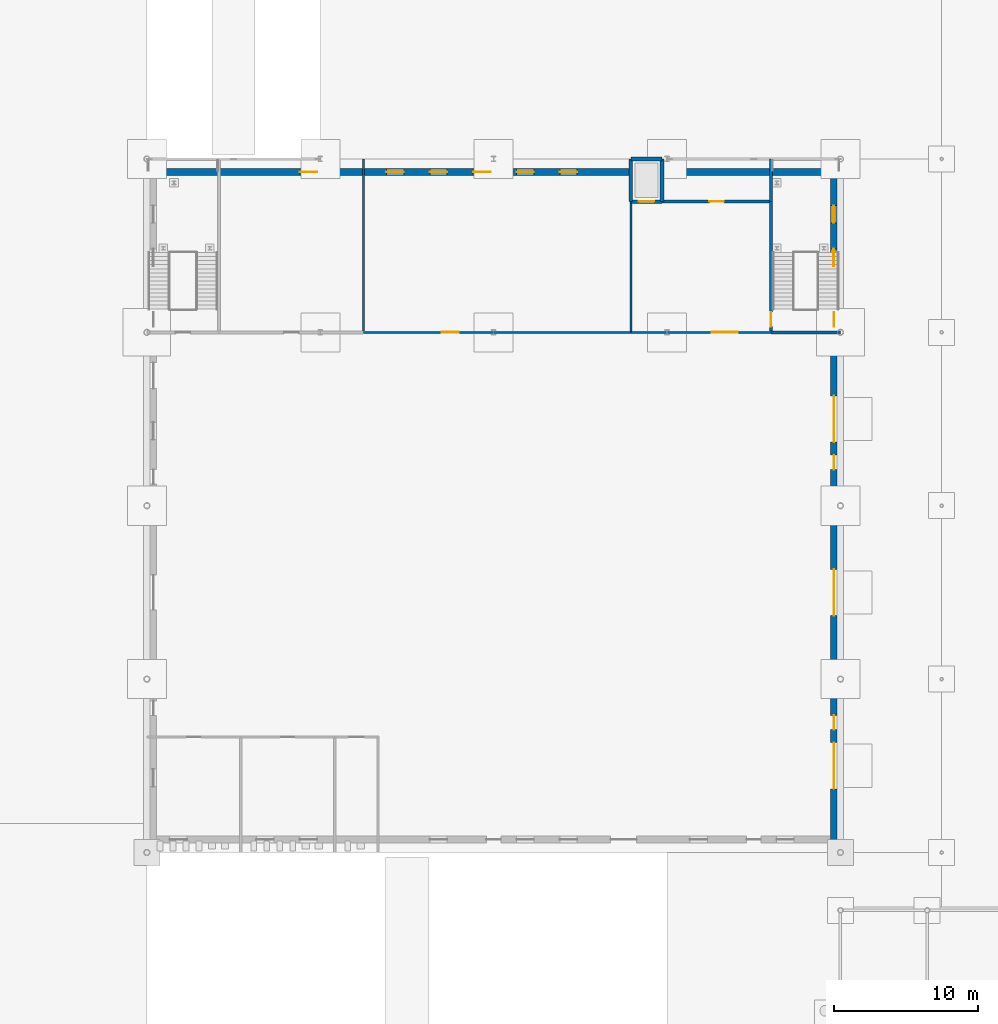
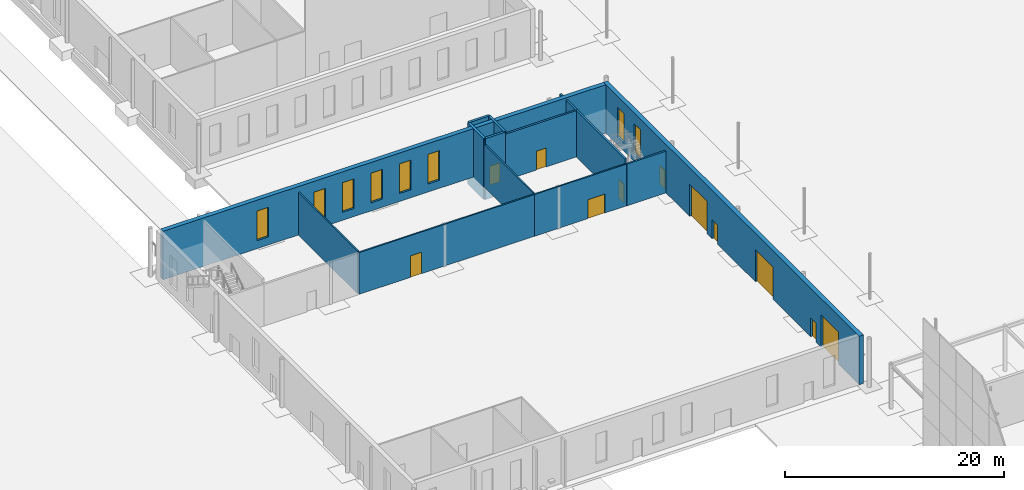
# One storey, part 69 of 132: 14 walls, 11 doors, 8 windows, 19 openings.
"""IFC4 building model written with IfcOpenShell, lengths in metres."""

from ifc_helpers import new_model, si_unit, direction, frame, frame_2d, origin, place, context, subcontext, project, spatial, rectangle, extrude, material, layer, layer_set, type_object, element, fill, save


model = new_model("IFC4")

# Units and contexts
model_context = context("Model", 3, precision=1e-05, world=origin(), true_north=direction((0.0, 1.0)))
body_context = subcontext(model_context, "Body", "Model", "MODEL_VIEW")
ifc_project = project(units=[si_unit("LENGTHUNIT", "METRE"), si_unit("AREAUNIT", "SQUARE_METRE"), si_unit("VOLUMEUNIT", "CUBIC_METRE"), si_unit("PLANEANGLEUNIT", "RADIAN"), si_unit("MASSUNIT", "GRAM", prefix="KILO")], contexts=[model_context])

# Site, building, storey
site_placement = place(None, origin())
site = spatial("IfcSite", under=ifc_project, at=site_placement, CompositionType="ELEMENT")
building_placement = place(site_placement, origin())
building = spatial("IfcBuilding", under=site, at=building_placement, Name="Ravi Spectrum Wholesale Market", CompositionType="ELEMENT")
storey_placement = place(building_placement, origin())
storey = spatial("IfcBuildingStorey", under=building, at=storey_placement, Name="L00", CompositionType="ELEMENT", Elevation=0.0)

# Wall, opening, door
ifc_material_1 = material(Name="Concrete blockwork", Category="masonry")
ifc_layer_1 = layer(ifc_material_1, 0.14990234375)
ifc_layer_set_1 = layer_set([ifc_layer_1], Name="Concrete blockwork")
wall_type_1 = type_object("IfcWallType", Name="Blockwork partition 150", PredefinedType="PARTITIONING", material=ifc_layer_set_1)
wall_1_placement = place(storey_placement, frame((183.5, 114.0, 0.0), z_axis=(0.0, 0.0, 1.0), x_axis=(1.0, 0.0, 0.0)))
wall_1 = element("IfcWall", 1, at=wall_1_placement, inside=storey, type_object=wall_type_1, Name="H2-WL-L00-011", PredefinedType="PARTITIONING", context=body_context, shape_type="SweptSolid", body=[
    extrude(rectangle(XDim=9.699951171875, YDim=0.14990234375, at=frame_2d((4.85009765625, 0.0))), origin(), (0.0, 0.0, 1.0), 4.64990234375),
])
opening_1_placement = place(wall_1_placement, frame((5.60009765625, 0.0, 0.0)))
opening_1 = element("IfcOpeningElement", 2, at=opening_1_placement, cuts=wall_1, Name="Opening D307", PredefinedType="OPENING", context=body_context, shape_type="SweptSolid", body=[
    extrude(rectangle(XDim=1.800048828125, YDim=2.10009765625, at=frame_2d((0.89990234375, 1.050048828125))), frame((0.0, 0.0849609375, 0.0), z_axis=(0.0, -1.0, 0.0), x_axis=(1.0, 0.0, 0.0)), (0.0, 0.0, 1.0), 0.169921875),
])
ifc_material_2 = material(Name="Steel door", Category="steel")
door_type_1 = type_object("IfcDoorType", Name="Double leaf door 1800 x 2100", OperationType="DOUBLE_DOOR_SINGLE_SWING", PredefinedType="DOOR", material=ifc_material_2)
door_1_placement = place(opening_1_placement, origin())
door_1 = element("IfcDoor", 3, at=door_1_placement, inside=storey, type_object=door_type_1, Name="Door D307", OperationType="DOUBLE_DOOR_SINGLE_SWING", OverallHeight=2.10009765625, OverallWidth=1.800048828125, PredefinedType="DOOR", context=body_context, shape_type="SweptSolid", body=[
    extrude(rectangle(XDim=1.800048828125, YDim=2.10009765625, at=frame_2d((0.89990234375, 1.050048828125))), frame((0.0, 0.02490234375, 0.0), z_axis=(0.0, -1.0, 0.0), x_axis=(1.0, 0.0, 0.0)), (0.0, 0.0, 1.0), 0.050048828125),
])
fill(opening_1, door_1)

# Wall
ifc_material_3 = material(Name="Concrete blockwork", Category="masonry")
ifc_layer_2 = layer(ifc_material_3, 0.199951171875)
ifc_layer_set_2 = layer_set([ifc_layer_2], Name="Concrete blockwork")
wall_type_2 = type_object("IfcWallType", Name="Blockwork partition 200 fire", PredefinedType="PARTITIONING", material=ifc_layer_set_2)
wall_2_placement = place(storey_placement, frame((193.199951171875, 114.0, 0.0), z_axis=(0.0, 0.0, 1.0), x_axis=(1.0, 0.0, 0.0)))
element("IfcWall", 4, at=wall_2_placement, inside=storey, type_object=wall_type_2, Name="H2-WL-L00-012", PredefinedType="PARTITIONING", context=body_context, shape_type="SweptSolid", body=[
    extrude(rectangle(XDim=4.800048828125, YDim=0.199951171875, at=frame_2d((2.39990234375, 0.0))), origin(), (0.0, 0.0, 1.0), 4.64990234375),
])

# Wall, opening, door
wall_3_placement = place(storey_placement, frame((185.64990234375, 123.050048828125, 0.0), z_axis=(0.0, 0.0, 1.0), x_axis=(1.0, 0.0, 0.0)))
wall_3 = element("IfcWall", 5, at=wall_3_placement, inside=storey, type_object=wall_type_2, Name="H2-WL-L00-013", PredefinedType="PARTITIONING", context=body_context, shape_type="SweptSolid", body=[
    extrude(rectangle(XDim=7.4501953125, YDim=0.199951171875, at=frame_2d((3.72509765625, 0.0))), origin(), (0.0, 0.0, 1.0), 5.14990234375),
])
opening_2_placement = place(wall_3_placement, frame((3.27490234375, 0.0, 0.0)))
opening_2 = element("IfcOpeningElement", 6, at=opening_2_placement, cuts=wall_3, Name="Opening D323", PredefinedType="OPENING", context=body_context, shape_type="SweptSolid", body=[
    extrude(rectangle(XDim=1.0, YDim=2.10009765625, at=frame_2d((0.5, 1.050048828125))), frame((0.0, 0.10986328125, 0.0), z_axis=(0.0, -1.0, 0.0), x_axis=(1.0, 0.0, 0.0)), (0.0, 0.0, 1.0), 0.219970703125),
])
ifc_material_4 = material(Name="Steel door", Category="steel")
door_type_2 = type_object("IfcDoorType", Name="Plant room door 1000 x 2100", OperationType="SINGLE_SWING_LEFT", PredefinedType="DOOR", material=ifc_material_4)
door_2_placement = place(opening_2_placement, origin())
door_2 = element("IfcDoor", 7, at=door_2_placement, inside=storey, type_object=door_type_2, Name="Riser access door D323", OperationType="SINGLE_SWING_LEFT", OverallHeight=2.10009765625, OverallWidth=1.0, PredefinedType="DOOR", context=body_context, shape_type="SweptSolid", body=[
    extrude(rectangle(XDim=1.0, YDim=2.10009765625, at=frame_2d((0.5, 1.050048828125))), frame((0.0, 0.02490234375, 0.0), z_axis=(0.0, -1.0, 0.0), x_axis=(1.0, 0.0, 0.0)), (0.0, 0.0, 1.0), 0.050048828125),
])
fill(opening_2, door_2)

wall_4_placement = place(storey_placement, frame((193.199951171875, 114.10009765625, 0.0), z_axis=(0.0, 0.0, 1.0), x_axis=(0.0, 1.0, 0.0)))
wall_4 = element("IfcWall", 8, at=wall_4_placement, inside=storey, type_object=wall_type_2, Name="H2-WL-L00-020", PredefinedType="PARTITIONING", context=body_context, shape_type="SweptSolid", body=[
    extrude(rectangle(XDim=8.949951171875, YDim=0.199951171875, at=frame_2d((4.47509765625, 0.0))), origin(), (0.0, 0.0, 1.0), 5.14990234375),
])
opening_3_placement = place(wall_4_placement, frame((0.300048828125, 0.0, 0.0)))
opening_3 = element("IfcOpeningElement", 9, at=opening_3_placement, cuts=wall_4, Name="Opening D309", PredefinedType="OPENING", context=body_context, shape_type="SweptSolid", body=[
    extrude(rectangle(XDim=1.0, YDim=2.10009765625, at=frame_2d((0.5, 1.050048828125))), frame((0.0, 0.10986328125, 0.0), z_axis=(0.0, -1.0, 0.0), x_axis=(1.0, 0.0, 0.0)), (0.0, 0.0, 1.0), 0.219970703125),
])
ifc_material_5 = material(Name="Steel door", Category="steel")
door_type_3 = type_object("IfcDoorType", Name="Stair door 1000 x 2100", OperationType="SINGLE_SWING_LEFT", PredefinedType="DOOR", material=ifc_material_5)
door_3_placement = place(opening_3_placement, origin())
door_3 = element("IfcDoor", 10, at=door_3_placement, inside=storey, type_object=door_type_3, Name="Door D309", OperationType="SINGLE_SWING_RIGHT", OverallHeight=2.10009765625, OverallWidth=1.0, PredefinedType="DOOR", context=body_context, shape_type="SweptSolid", body=[
    extrude(rectangle(XDim=1.0, YDim=2.10009765625, at=frame_2d((0.5, 1.050048828125))), frame((0.0, 0.02490234375, 0.0), z_axis=(0.0, -1.0, 0.0), x_axis=(1.0, 0.0, 0.0)), (0.0, 0.0, 1.0), 0.050048828125),
])
fill(opening_3, door_3)

# Wall
wall_5_placement = place(storey_placement, frame((193.199951171875, 123.050048828125, 0.0), z_axis=(0.0, 0.0, 1.0), x_axis=(0.0, 1.0, 0.0)))
element("IfcWall", 11, at=wall_5_placement, inside=storey, type_object=wall_type_2, Name="H2-WL-L00-021", PredefinedType="PARTITIONING", context=body_context, shape_type="SweptSolid", body=[
    extrude(rectangle(XDim=2.949951171875, YDim=0.199951171875, at=frame_2d((1.47509765625, 0.0))), origin(), (0.0, 0.0, 1.0), 5.14990234375),
])

# Wall, openings, windows
ifc_material_6 = material(Name="Clinker brickwork", Category="masonry")
ifc_layer_3 = layer(ifc_material_6, 0.4599609375)
ifc_layer_set_3 = layer_set([ifc_layer_3], Name="Clinker brickwork")
wall_type_3 = type_object("IfcWallType", Name="Brick 460 pier wall", PredefinedType="SOLIDWALL", material=ifc_layer_set_3)
wall_6_placement = place(storey_placement, frame((150.68310546875, 125.10009765625, 0.0), z_axis=(0.0, 0.0, 1.0), x_axis=(1.0, 0.0, 0.0)))
wall_6 = element("IfcWall", 12, at=wall_6_placement, inside=storey, type_object=wall_type_3, Name="Fish Hall north wall", PredefinedType="SOLIDWALL", context=body_context, shape_type="SweptSolid", body=[
    extrude(rectangle(XDim=46.6337890625, YDim=0.4599609375, at=frame_2d((23.31689453125, 0.0))), origin(), (0.0, 0.0, 1.0), 5.39990234375),
])
opening_4_placement = place(wall_6_placement, frame((9.89990234375, 0.0, 0.89990234375)))
opening_4 = element("IfcOpeningElement", 13, at=opening_4_placement, cuts=wall_6, Name="Opening W2023", PredefinedType="OPENING", context=body_context, shape_type="SweptSolid", body=[
    extrude(rectangle(XDim=1.199951171875, YDim=3.300048828125, at=frame_2d((0.60009765625, 1.64990234375))), frame((0.0, 0.239990234375, 0.0), z_axis=(0.0, -1.0, 0.0), x_axis=(1.0, 0.0, 0.0)), (0.0, 0.0, 1.0), 0.47998046875),
])
opening_5_placement = place(wall_6_placement, frame((15.89990234375, 0.0, 0.89990234375)))
opening_5 = element("IfcOpeningElement", 14, at=opening_5_placement, cuts=wall_6, Name="Opening W2024", PredefinedType="OPENING", context=body_context, shape_type="SweptSolid", body=[
    extrude(rectangle(XDim=1.199951171875, YDim=3.300048828125, at=frame_2d((0.60009765625, 1.64990234375))), frame((0.0, 0.239990234375, 0.0), z_axis=(0.0, -1.0, 0.0), x_axis=(1.0, 0.0, 0.0)), (0.0, 0.0, 1.0), 0.47998046875),
])
opening_6_placement = place(wall_6_placement, frame((18.89990234375, 0.0, 0.89990234375)))
opening_6 = element("IfcOpeningElement", 15, at=opening_6_placement, cuts=wall_6, Name="Opening W2025", PredefinedType="OPENING", context=body_context, shape_type="SweptSolid", body=[
    extrude(rectangle(XDim=1.199951171875, YDim=3.300048828125, at=frame_2d((0.60009765625, 1.64990234375))), frame((0.0, 0.239990234375, 0.0), z_axis=(0.0, -1.0, 0.0), x_axis=(1.0, 0.0, 0.0)), (0.0, 0.0, 1.0), 0.47998046875),
])
opening_7_placement = place(wall_6_placement, frame((21.89990234375, 0.0, 0.89990234375)))
opening_7 = element("IfcOpeningElement", 16, at=opening_7_placement, cuts=wall_6, Name="Opening W2026", PredefinedType="OPENING", context=body_context, shape_type="SweptSolid", body=[
    extrude(rectangle(XDim=1.199951171875, YDim=3.300048828125, at=frame_2d((0.60009765625, 1.64990234375))), frame((0.0, 0.239990234375, 0.0), z_axis=(0.0, -1.0, 0.0), x_axis=(1.0, 0.0, 0.0)), (0.0, 0.0, 1.0), 0.47998046875),
])
opening_8_placement = place(wall_6_placement, frame((24.89990234375, 0.0, 0.89990234375)))
opening_8 = element("IfcOpeningElement", 17, at=opening_8_placement, cuts=wall_6, Name="Opening W2027", PredefinedType="OPENING", context=body_context, shape_type="SweptSolid", body=[
    extrude(rectangle(XDim=1.199951171875, YDim=3.300048828125, at=frame_2d((0.60009765625, 1.64990234375))), frame((0.0, 0.239990234375, 0.0), z_axis=(0.0, -1.0, 0.0), x_axis=(1.0, 0.0, 0.0)), (0.0, 0.0, 1.0), 0.47998046875),
])
opening_9_placement = place(wall_6_placement, frame((27.89990234375, 0.0, 0.89990234375)))
opening_9 = element("IfcOpeningElement", 18, at=opening_9_placement, cuts=wall_6, Name="Opening W2028", PredefinedType="OPENING", context=body_context, shape_type="SweptSolid", body=[
    extrude(rectangle(XDim=1.199951171875, YDim=3.300048828125, at=frame_2d((0.60009765625, 1.64990234375))), frame((0.0, 0.239990234375, 0.0), z_axis=(0.0, -1.0, 0.0), x_axis=(1.0, 0.0, 0.0)), (0.0, 0.0, 1.0), 0.47998046875),
])
ifc_material_7 = material(Name="Steel window frame", Category="steel")
window_type = type_object("IfcWindowType", Name="Tall pier window 1200 x 3300", PartitioningType="SINGLE_PANEL", PredefinedType="WINDOW", material=ifc_material_7)
window_1_placement = place(opening_4_placement, origin())
window_1 = element("IfcWindow", 19, at=window_1_placement, inside=storey, type_object=window_type, Name="Window W2023", OverallHeight=3.300048828125, OverallWidth=1.199951171875, PartitioningType="SINGLE_PANEL", PredefinedType="WINDOW", context=body_context, shape_type="SweptSolid", body=[
    extrude(rectangle(XDim=1.199951171875, YDim=3.300048828125, at=frame_2d((0.60009765625, 1.64990234375))), frame((0.0, 0.030029296875, 0.0), z_axis=(0.0, -1.0, 0.0), x_axis=(1.0, 0.0, 0.0)), (0.0, 0.0, 1.0), 0.06005859375),
])
fill(opening_4, window_1)
window_2_placement = place(opening_5_placement, origin())
window_2 = element("IfcWindow", 20, at=window_2_placement, inside=storey, type_object=window_type, Name="Window W2024", OverallHeight=3.300048828125, OverallWidth=1.199951171875, PartitioningType="SINGLE_PANEL", PredefinedType="WINDOW", context=body_context, shape_type="SweptSolid", body=[
    extrude(rectangle(XDim=1.199951171875, YDim=3.300048828125, at=frame_2d((0.60009765625, 1.64990234375))), frame((0.0, 0.030029296875, 0.0), z_axis=(0.0, -1.0, 0.0), x_axis=(1.0, 0.0, 0.0)), (0.0, 0.0, 1.0), 0.06005859375),
])
fill(opening_5, window_2)
window_3_placement = place(opening_6_placement, origin())
window_3 = element("IfcWindow", 21, at=window_3_placement, inside=storey, type_object=window_type, Name="Window W2025", OverallHeight=3.300048828125, OverallWidth=1.199951171875, PartitioningType="SINGLE_PANEL", PredefinedType="WINDOW", context=body_context, shape_type="SweptSolid", body=[
    extrude(rectangle(XDim=1.199951171875, YDim=3.300048828125, at=frame_2d((0.60009765625, 1.64990234375))), frame((0.0, 0.030029296875, 0.0), z_axis=(0.0, -1.0, 0.0), x_axis=(1.0, 0.0, 0.0)), (0.0, 0.0, 1.0), 0.06005859375),
])
fill(opening_6, window_3)
window_4_placement = place(opening_7_placement, origin())
window_4 = element("IfcWindow", 22, at=window_4_placement, inside=storey, type_object=window_type, Name="Window W2026", OverallHeight=3.300048828125, OverallWidth=1.199951171875, PartitioningType="SINGLE_PANEL", PredefinedType="WINDOW", context=body_context, shape_type="SweptSolid", body=[
    extrude(rectangle(XDim=1.199951171875, YDim=3.300048828125, at=frame_2d((0.60009765625, 1.64990234375))), frame((0.0, 0.030029296875, 0.0), z_axis=(0.0, -1.0, 0.0), x_axis=(1.0, 0.0, 0.0)), (0.0, 0.0, 1.0), 0.06005859375),
])
fill(opening_7, window_4)
window_5_placement = place(opening_8_placement, origin())
window_5 = element("IfcWindow", 23, at=window_5_placement, inside=storey, type_object=window_type, Name="Window W2027", OverallHeight=3.300048828125, OverallWidth=1.199951171875, PartitioningType="SINGLE_PANEL", PredefinedType="WINDOW", context=body_context, shape_type="SweptSolid", body=[
    extrude(rectangle(XDim=1.199951171875, YDim=3.300048828125, at=frame_2d((0.60009765625, 1.64990234375))), frame((0.0, 0.030029296875, 0.0), z_axis=(0.0, -1.0, 0.0), x_axis=(1.0, 0.0, 0.0)), (0.0, 0.0, 1.0), 0.06005859375),
])
fill(opening_8, window_5)
window_6_placement = place(opening_9_placement, origin())
window_6 = element("IfcWindow", 24, at=window_6_placement, inside=storey, type_object=window_type, Name="Window W2028", OverallHeight=3.300048828125, OverallWidth=1.199951171875, PartitioningType="SINGLE_PANEL", PredefinedType="WINDOW", context=body_context, shape_type="SweptSolid", body=[
    extrude(rectangle(XDim=1.199951171875, YDim=3.300048828125, at=frame_2d((0.60009765625, 1.64990234375))), frame((0.0, 0.030029296875, 0.0), z_axis=(0.0, -1.0, 0.0), x_axis=(1.0, 0.0, 0.0)), (0.0, 0.0, 1.0), 0.06005859375),
])
fill(opening_9, window_6)

# Wall, openings, doors, windows
wall_7_placement = place(storey_placement, frame((197.546875, 78.669921875, 0.0), z_axis=(0.0, 0.0, 1.0), x_axis=(0.0, 1.0, 0.0)))
wall_7 = element("IfcWall", 25, at=wall_7_placement, inside=storey, type_object=wall_type_3, Name="Fish Hall east wall", PredefinedType="SOLIDWALL", context=body_context, shape_type="SweptSolid", body=[
    extrude(rectangle(XDim=46.66015625, YDim=0.4599609375, at=frame_2d((23.330078125, 0.0))), origin(), (0.0, 0.0, 1.0), 5.39990234375),
])
opening_10_placement = place(wall_7_placement, frame((36.72998046875, 0.0, 0.0), z_axis=(0.0, 0.0, 1.0), x_axis=(-1.0, 0.0, 0.0)))
opening_10 = element("IfcOpeningElement", 26, at=opening_10_placement, cuts=wall_7, Name="Opening D310", PredefinedType="OPENING", context=body_context, shape_type="SweptSolid", body=[
    extrude(rectangle(XDim=1.0, YDim=2.10009765625, at=frame_2d((0.5, 1.050048828125))), frame((0.0, 0.239990234375, 0.0), z_axis=(0.0, -1.0, 0.0), x_axis=(1.0, 0.0, 0.0)), (0.0, 0.0, 1.0), 0.47998046875),
])
opening_11_placement = place(wall_7_placement, frame((3.72998046875, 0.0, 0.0)))
opening_11 = element("IfcOpeningElement", 27, at=opening_11_placement, cuts=wall_7, Name="Opening D311", PredefinedType="OPENING", context=body_context, shape_type="SweptSolid", body=[
    extrude(rectangle(XDim=3.199951171875, YDim=3.60009765625, at=frame_2d((1.60009765625, 1.800048828125))), frame((0.0, 0.239990234375, 0.0), z_axis=(0.0, -1.0, 0.0), x_axis=(1.0, 0.0, 0.0)), (0.0, 0.0, 1.0), 0.47998046875),
])
opening_12_placement = place(wall_7_placement, frame((15.72998046875, 0.0, 0.0)))
opening_12 = element("IfcOpeningElement", 28, at=opening_12_placement, cuts=wall_7, Name="Opening D312", PredefinedType="OPENING", context=body_context, shape_type="SweptSolid", body=[
    extrude(rectangle(XDim=3.199951171875, YDim=3.60009765625, at=frame_2d((1.60009765625, 1.800048828125))), frame((0.0, 0.239990234375, 0.0), z_axis=(0.0, -1.0, 0.0), x_axis=(1.0, 0.0, 0.0)), (0.0, 0.0, 1.0), 0.47998046875),
])
opening_13_placement = place(wall_7_placement, frame((27.72998046875, 0.0, 0.0)))
opening_13 = element("IfcOpeningElement", 29, at=opening_13_placement, cuts=wall_7, Name="Opening D313", PredefinedType="OPENING", context=body_context, shape_type="SweptSolid", body=[
    extrude(rectangle(XDim=3.199951171875, YDim=3.60009765625, at=frame_2d((1.60009765625, 1.800048828125))), frame((0.0, 0.239990234375, 0.0), z_axis=(0.0, -1.0, 0.0), x_axis=(1.0, 0.0, 0.0)), (0.0, 0.0, 1.0), 0.47998046875),
])
opening_14_placement = place(wall_7_placement, frame((8.830078125, 0.0, 0.0), z_axis=(0.0, 0.0, 1.0), x_axis=(-1.0, 0.0, 0.0)))
opening_14 = element("IfcOpeningElement", 30, at=opening_14_placement, cuts=wall_7, Name="Opening D314", PredefinedType="OPENING", context=body_context, shape_type="SweptSolid", body=[
    extrude(rectangle(XDim=1.0, YDim=2.10009765625, at=frame_2d((0.5, 1.050048828125))), frame((0.0, 0.239990234375, 0.0), z_axis=(0.0, -1.0, 0.0), x_axis=(1.0, 0.0, 0.0)), (0.0, 0.0, 1.0), 0.47998046875),
])
opening_15_placement = place(wall_7_placement, frame((26.830078125, 0.0, 0.0), z_axis=(0.0, 0.0, 1.0), x_axis=(-1.0, 0.0, 0.0)))
opening_15 = element("IfcOpeningElement", 31, at=opening_15_placement, cuts=wall_7, Name="Opening D315", PredefinedType="OPENING", context=body_context, shape_type="SweptSolid", body=[
    extrude(rectangle(XDim=1.0, YDim=2.10009765625, at=frame_2d((0.5, 1.050048828125))), frame((0.0, 0.239990234375, 0.0), z_axis=(0.0, -1.0, 0.0), x_axis=(1.0, 0.0, 0.0)), (0.0, 0.0, 1.0), 0.47998046875),
])
opening_16_placement = place(wall_7_placement, frame((39.89990234375, 0.0, 0.89990234375)))
opening_16 = element("IfcOpeningElement", 32, at=opening_16_placement, cuts=wall_7, Name="Opening W2011", PredefinedType="OPENING", context=body_context, shape_type="SweptSolid", body=[
    extrude(rectangle(XDim=1.199951171875, YDim=3.300048828125, at=frame_2d((0.60009765625, 1.64990234375))), frame((0.0, 0.239990234375, 0.0), z_axis=(0.0, -1.0, 0.0), x_axis=(1.0, 0.0, 0.0)), (0.0, 0.0, 1.0), 0.47998046875),
])
opening_17_placement = place(wall_7_placement, frame((42.89990234375, 0.0, 0.89990234375)))
opening_17 = element("IfcOpeningElement", 33, at=opening_17_placement, cuts=wall_7, Name="Opening W2012", PredefinedType="OPENING", context=body_context, shape_type="SweptSolid", body=[
    extrude(rectangle(XDim=1.199951171875, YDim=3.300048828125, at=frame_2d((0.60009765625, 1.64990234375))), frame((0.0, 0.239990234375, 0.0), z_axis=(0.0, -1.0, 0.0), x_axis=(1.0, 0.0, 0.0)), (0.0, 0.0, 1.0), 0.47998046875),
])
ifc_material_8 = material(Name="Steel roller shutter", Category="steel")
door_type_4 = type_object("IfcDoorType", Name="Dock roller shutter 3200 x 3600", OperationType="ROLLINGUP", PredefinedType="DOOR", material=ifc_material_8)
door_4_placement = place(opening_11_placement, origin())
door_4 = element("IfcDoor", 34, at=door_4_placement, inside=storey, type_object=door_type_4, Name="Door D311", OperationType="ROLLINGUP", OverallHeight=3.60009765625, OverallWidth=3.199951171875, PredefinedType="DOOR", context=body_context, shape_type="SweptSolid", body=[
    extrude(rectangle(XDim=3.199951171875, YDim=3.60009765625, at=frame_2d((1.60009765625, 1.800048828125))), frame((0.0, 0.02490234375, 0.0), z_axis=(0.0, -1.0, 0.0), x_axis=(1.0, 0.0, 0.0)), (0.0, 0.0, 1.0), 0.050048828125),
])
fill(opening_11, door_4)
door_5_placement = place(opening_12_placement, origin())
door_5 = element("IfcDoor", 35, at=door_5_placement, inside=storey, type_object=door_type_4, Name="Door D312", OperationType="ROLLINGUP", OverallHeight=3.60009765625, OverallWidth=3.199951171875, PredefinedType="DOOR", context=body_context, shape_type="SweptSolid", body=[
    extrude(rectangle(XDim=3.199951171875, YDim=3.60009765625, at=frame_2d((1.60009765625, 1.800048828125))), frame((0.0, 0.02490234375, 0.0), z_axis=(0.0, -1.0, 0.0), x_axis=(1.0, 0.0, 0.0)), (0.0, 0.0, 1.0), 0.050048828125),
])
fill(opening_12, door_5)
door_6_placement = place(opening_13_placement, origin())
door_6 = element("IfcDoor", 36, at=door_6_placement, inside=storey, type_object=door_type_4, Name="Door D313", OperationType="ROLLINGUP", OverallHeight=3.60009765625, OverallWidth=3.199951171875, PredefinedType="DOOR", context=body_context, shape_type="SweptSolid", body=[
    extrude(rectangle(XDim=3.199951171875, YDim=3.60009765625, at=frame_2d((1.60009765625, 1.800048828125))), frame((0.0, 0.02490234375, 0.0), z_axis=(0.0, -1.0, 0.0), x_axis=(1.0, 0.0, 0.0)), (0.0, 0.0, 1.0), 0.050048828125),
])
fill(opening_13, door_6)
ifc_material_9 = material(Name="Steel door", Category="steel")
door_type_5 = type_object("IfcDoorType", Name="Pedestrian exit door 1000 x 2100", OperationType="SINGLE_SWING_LEFT", PredefinedType="DOOR", material=ifc_material_9)
door_7_placement = place(opening_10_placement, origin())
door_7 = element("IfcDoor", 37, at=door_7_placement, inside=storey, type_object=door_type_5, Name="Door D310", OperationType="SINGLE_SWING_RIGHT", OverallHeight=2.10009765625, OverallWidth=1.0, PredefinedType="DOOR", context=body_context, shape_type="SweptSolid", body=[
    extrude(rectangle(XDim=1.0, YDim=2.10009765625, at=frame_2d((0.5, 1.050048828125))), frame((0.0, 0.02490234375, 0.0), z_axis=(0.0, -1.0, 0.0), x_axis=(1.0, 0.0, 0.0)), (0.0, 0.0, 1.0), 0.050048828125),
])
fill(opening_10, door_7)
door_8_placement = place(opening_14_placement, origin())
door_8 = element("IfcDoor", 38, at=door_8_placement, inside=storey, type_object=door_type_5, Name="Door D314", OperationType="SINGLE_SWING_RIGHT", OverallHeight=2.10009765625, OverallWidth=1.0, PredefinedType="DOOR", context=body_context, shape_type="SweptSolid", body=[
    extrude(rectangle(XDim=1.0, YDim=2.10009765625, at=frame_2d((0.5, 1.050048828125))), frame((0.0, 0.02490234375, 0.0), z_axis=(0.0, -1.0, 0.0), x_axis=(1.0, 0.0, 0.0)), (0.0, 0.0, 1.0), 0.050048828125),
])
fill(opening_14, door_8)
door_9_placement = place(opening_15_placement, origin())
door_9 = element("IfcDoor", 39, at=door_9_placement, inside=storey, type_object=door_type_5, Name="Door D315", OperationType="SINGLE_SWING_LEFT", OverallHeight=2.10009765625, OverallWidth=1.0, PredefinedType="DOOR", context=body_context, shape_type="SweptSolid", body=[
    extrude(rectangle(XDim=1.0, YDim=2.10009765625, at=frame_2d((0.5, 1.050048828125))), frame((0.0, 0.02490234375, 0.0), z_axis=(0.0, -1.0, 0.0), x_axis=(1.0, 0.0, 0.0)), (0.0, 0.0, 1.0), 0.050048828125),
])
fill(opening_15, door_9)
window_7_placement = place(opening_16_placement, origin())
window_7 = element("IfcWindow", 40, at=window_7_placement, inside=storey, type_object=window_type, Name="Window W2011", OverallHeight=3.300048828125, OverallWidth=1.199951171875, PartitioningType="SINGLE_PANEL", PredefinedType="WINDOW", context=body_context, shape_type="SweptSolid", body=[
    extrude(rectangle(XDim=1.199951171875, YDim=3.300048828125, at=frame_2d((0.60009765625, 1.64990234375))), frame((0.0, 0.030029296875, 0.0), z_axis=(0.0, -1.0, 0.0), x_axis=(1.0, 0.0, 0.0)), (0.0, 0.0, 1.0), 0.06005859375),
])
fill(opening_16, window_7)
window_8_placement = place(opening_17_placement, origin())
window_8 = element("IfcWindow", 41, at=window_8_placement, inside=storey, type_object=window_type, Name="Window W2012", OverallHeight=3.300048828125, OverallWidth=1.199951171875, PartitioningType="SINGLE_PANEL", PredefinedType="WINDOW", context=body_context, shape_type="SweptSolid", body=[
    extrude(rectangle(XDim=1.199951171875, YDim=3.300048828125, at=frame_2d((0.60009765625, 1.64990234375))), frame((0.0, 0.030029296875, 0.0), z_axis=(0.0, -1.0, 0.0), x_axis=(1.0, 0.0, 0.0)), (0.0, 0.0, 1.0), 0.06005859375),
])
fill(opening_17, window_8)

# Wall, opening, door
ifc_material_10 = material(Name="Insulated panel")
ifc_layer_4 = layer(ifc_material_10, 0.14990234375)
ifc_layer_set_4 = layer_set([ifc_layer_4], Name="Insulated panel")
wall_type_4 = type_object("IfcWallType", Name="Cold store panel 150", PredefinedType="PARTITIONING", material=ifc_layer_set_4)
wall_8_placement = place(storey_placement, frame((165.0, 114.0, 0.0), z_axis=(0.0, 0.0, 1.0), x_axis=(1.0, 0.0, 0.0)))
wall_8 = element("IfcWall", 42, at=wall_8_placement, inside=storey, type_object=wall_type_4, Name="H2-WL-L00-010", PredefinedType="PARTITIONING", context=body_context, shape_type="SweptSolid", body=[
    extrude(rectangle(XDim=18.5, YDim=0.14990234375, at=frame_2d((9.25, 0.0))), origin(), (0.0, 0.0, 1.0), 4.64990234375),
])
opening_18_placement = place(wall_8_placement, frame((5.39990234375, 0.0, 0.0)))
opening_18 = element("IfcOpeningElement", 43, at=opening_18_placement, cuts=wall_8, Name="Opening D306", PredefinedType="OPENING", context=body_context, shape_type="SweptSolid", body=[
    extrude(rectangle(XDim=1.199951171875, YDim=2.39990234375, at=frame_2d((0.60009765625, 1.199951171875))), frame((0.0, 0.0849609375, 0.0), z_axis=(0.0, -1.0, 0.0), x_axis=(1.0, 0.0, 0.0)), (0.0, 0.0, 1.0), 0.169921875),
])
ifc_material_11 = material(Name="Insulated panel door")
door_type_6 = type_object("IfcDoorType", Name="Cold store insulated door 1200 x 2400", OperationType="SINGLE_SWING_LEFT", PredefinedType="DOOR", material=ifc_material_11)
door_10_placement = place(opening_18_placement, origin())
door_10 = element("IfcDoor", 44, at=door_10_placement, inside=storey, type_object=door_type_6, Name="Door D306", OperationType="SINGLE_SWING_LEFT", OverallHeight=2.39990234375, OverallWidth=1.199951171875, PredefinedType="DOOR", context=body_context, shape_type="SweptSolid", body=[
    extrude(rectangle(XDim=1.199951171875, YDim=2.39990234375, at=frame_2d((0.60009765625, 1.199951171875))), frame((0.0, 0.02490234375, 0.0), z_axis=(0.0, -1.0, 0.0), x_axis=(1.0, 0.0, 0.0)), (0.0, 0.0, 1.0), 0.050048828125),
])
fill(opening_18, door_10)

# Walls
wall_9_placement = place(storey_placement, frame((165.0, 114.10009765625, 0.0), z_axis=(0.0, 0.0, 1.0), x_axis=(0.0, 1.0, 0.0)))
element("IfcWall", 45, at=wall_9_placement, inside=storey, type_object=wall_type_4, Name="H2-WL-L00-017", PredefinedType="PARTITIONING", context=body_context, shape_type="SweptSolid", body=[
    extrude(rectangle(XDim=11.89990234375, YDim=0.14990234375, at=frame_2d((5.949951171875, 0.0))), origin(), (0.0, 0.0, 1.0), 4.75),
])
wall_10_placement = place(storey_placement, frame((183.5, 114.074951171875, 0.0), z_axis=(0.0, 0.0, 1.0), x_axis=(0.0, 1.0, 0.0)))
element("IfcWall", 46, at=wall_10_placement, inside=storey, type_object=wall_type_4, Name="H2-WL-L00-019", PredefinedType="PARTITIONING", context=body_context, shape_type="SweptSolid", body=[
    extrude(rectangle(XDim=8.97509765625, YDim=0.14990234375, at=frame_2d((4.487548828125, 0.0))), origin(), (0.0, 0.0, 1.0), 4.75),
])
ifc_material_12 = material(Name="Concrete C35/45", Category="concrete")
ifc_layer_5 = layer(ifc_material_12, 0.25)
ifc_layer_set_5 = layer_set([ifc_layer_5], Name="Concrete C35/45")
wall_type_5 = type_object("IfcWallType", Name="Shaft wall 250", PredefinedType="SHEAR", material=ifc_layer_set_5)
wall_11_placement = place(storey_placement, frame((185.64990234375, 123.050048828125, -1.39990234375), z_axis=(0.0, 0.0, 1.0), x_axis=(0.0, 1.0, 0.0)))
element("IfcWall", 47, at=wall_11_placement, inside=storey, type_object=wall_type_5, Name="H2-WL-L00-LF-H2-1-E", PredefinedType="SHEAR", context=body_context, shape_type="SweptSolid", body=[
    extrude(rectangle(XDim=2.949951171875, YDim=0.25, at=frame_2d((1.47509765625, 0.0))), origin(), (0.0, 0.0, 1.0), 6.7998046875),
])
wall_12_placement = place(storey_placement, frame((185.64990234375, 126.0, -1.39990234375), z_axis=(0.0, 0.0, 1.0), x_axis=(-1.0, 0.0, 0.0)))
element("IfcWall", 48, at=wall_12_placement, inside=storey, type_object=wall_type_5, Name="H2-WL-L00-LF-H2-1-N", PredefinedType="SHEAR", context=body_context, shape_type="SweptSolid", body=[
    extrude(rectangle(XDim=2.14990234375, YDim=0.25, at=frame_2d((1.074951171875, 0.0))), origin(), (0.0, 0.0, 1.0), 6.7998046875),
])

# Wall, opening, door
wall_13_placement = place(storey_placement, frame((183.5, 123.050048828125, -1.39990234375), z_axis=(0.0, 0.0, 1.0), x_axis=(1.0, 0.0, 0.0)))
wall_13 = element("IfcWall", 49, at=wall_13_placement, inside=storey, type_object=wall_type_5, Name="H2-WL-L00-LF-H2-1-S", PredefinedType="SHEAR", context=body_context, shape_type="SweptSolid", body=[
    extrude(rectangle(XDim=2.14990234375, YDim=0.25, at=frame_2d((1.074951171875, 0.0))), origin(), (0.0, 0.0, 1.0), 6.7998046875),
])
opening_19_placement = place(wall_13_placement, frame((0.52490234375, 0.0, 1.39990234375)))
opening_19 = element("IfcOpeningElement", 50, at=opening_19_placement, cuts=wall_13, Name="Opening D331", PredefinedType="OPENING", context=body_context, shape_type="SweptSolid", body=[
    extrude(rectangle(XDim=1.10009765625, YDim=2.10009765625, at=frame_2d((0.550048828125, 1.050048828125))), frame((0.0, 0.135009765625, 0.0), z_axis=(0.0, -1.0, 0.0), x_axis=(1.0, 0.0, 0.0)), (0.0, 0.0, 1.0), 0.27001953125),
])
ifc_material_13 = material(Name="Stainless steel door", Category="steel")
door_type_7 = type_object("IfcDoorType", Name="Lift landing door 1100 x 2100", OperationType="SLIDING_TO_LEFT", PredefinedType="DOOR", material=ifc_material_13)
door_11_placement = place(opening_19_placement, origin())
door_11 = element("IfcDoor", 51, at=door_11_placement, inside=storey, type_object=door_type_7, Name="Landing door LF-H2-1 L00", OperationType="SLIDING_TO_LEFT", OverallHeight=2.10009765625, OverallWidth=1.10009765625, PredefinedType="DOOR", context=body_context, shape_type="SweptSolid", body=[
    extrude(rectangle(XDim=1.10009765625, YDim=2.10009765625, at=frame_2d((0.550048828125, 1.050048828125))), frame((0.0, 0.02490234375, 0.0), z_axis=(0.0, -1.0, 0.0), x_axis=(1.0, 0.0, 0.0)), (0.0, 0.0, 1.0), 0.050048828125),
])
fill(opening_19, door_11)

# Wall
wall_14_placement = place(storey_placement, frame((183.5, 126.0, -1.39990234375), z_axis=(0.0, 0.0, 1.0), x_axis=(0.0, -1.0, 0.0)))
element("IfcWall", 52, at=wall_14_placement, inside=storey, type_object=wall_type_5, Name="H2-WL-L00-LF-H2-1-W", PredefinedType="SHEAR", context=body_context, shape_type="SweptSolid", body=[
    extrude(rectangle(XDim=2.949951171875, YDim=0.25, at=frame_2d((1.47509765625, 0.0))), origin(), (0.0, 0.0, 1.0), 6.7998046875),
])

save(model, "model.ifc")
